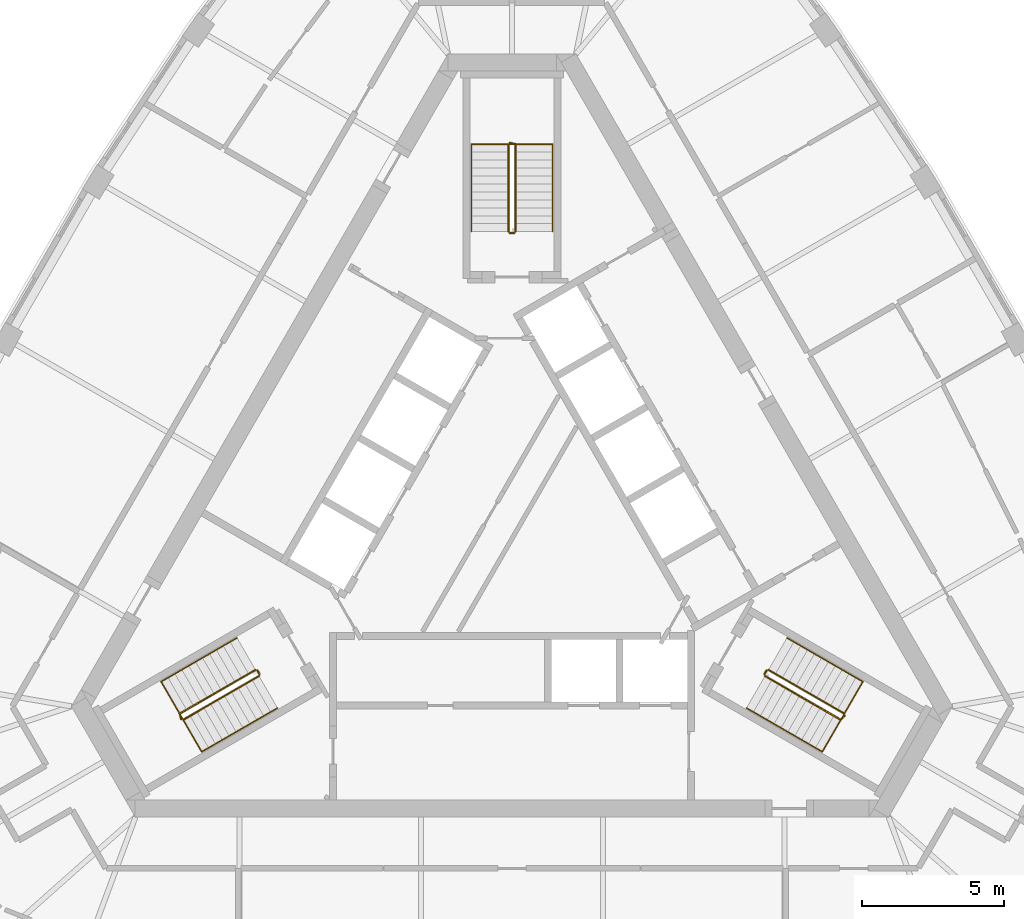
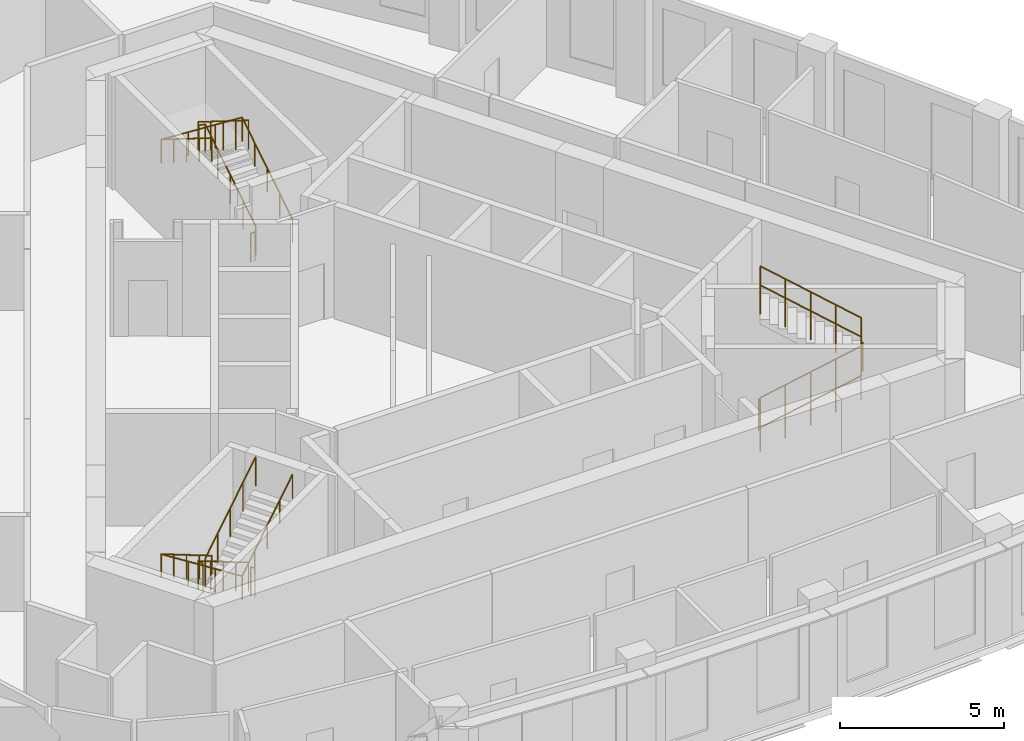
# One storey, part 10 of 10: 12 railings.
"""IFC4 building model written with IfcOpenShell, lengths in metres."""

from ifc_helpers import new_model, si_unit, direction, frame, origin, origin_2d, place, context, subcontext, project, spatial, circle, extrude, material, type_object, element, save


model = new_model("IFC4")

# Units and contexts
model_context = context("Model", 3, precision=1e-05, world=origin(), true_north=direction((0.0, 1.0)))
body_context = subcontext(model_context, "Body", "Model", "MODEL_VIEW")
ifc_project = project(units=[si_unit("LENGTHUNIT", "METRE"), si_unit("AREAUNIT", "SQUARE_METRE"), si_unit("VOLUMEUNIT", "CUBIC_METRE"), si_unit("PLANEANGLEUNIT", "RADIAN"), si_unit("MASSUNIT", "GRAM", prefix="KILO")], contexts=[model_context])

# Site, building, storey
site_placement = place(None, origin())
site = spatial("IfcSite", under=ifc_project, at=site_placement, CompositionType="ELEMENT")
building_placement = place(site_placement, origin())
building = spatial("IfcBuilding", under=site, at=building_placement, Name="Mestral Congress Tower", CompositionType="ELEMENT")
storey_placement = place(building_placement, frame((0.0, 0.0, 304.800048828125)))
storey = spatial("IfcBuildingStorey", under=building, at=storey_placement, Name="L71", CompositionType="ELEMENT", Elevation=304.800048828125)

# Railings
ifc_material_1 = material(Name="Steel balustrade", Category="steel")
railing_type_1 = type_object("IfcRailingType", Name="Stair guard 1100", PredefinedType="GUARDRAIL", material=ifc_material_1)
railing_1_placement = place(storey_placement, frame((8.90087890625, -5.283203125, 0.175048828125)))
element("IfcRailing", 1, at=railing_1_placement, inside=storey, type_object=railing_type_1, Name="L71 ST1 stair guard 1", PredefinedType="GUARDRAIL", context=body_context, shape_type="SweptSolid", body=[
    extrude(circle(Radius=0.02392578125, at=origin_2d()), frame((0.0, 0.0, 1.076171875), z_axis=(0.734390191396, -0.42403051051, 0.529970917068), x_axis=(0.500026652407, 0.866010015463, 0.0)), (0.0, 0.0, 1.0), 3.6318359375),
    extrude(circle(Radius=0.02392578125, at=origin_2d()), frame((2.667236328125, -1.5400390625, 3.0009765625), z_axis=(0.695164929852, 0.718850276695, 0.0), x_axis=(-0.718850276695, 0.695164929852, 0.0)), (0.0, 0.0, 1.0), 0.2060546875),
    extrude(circle(Radius=0.02099609375, at=origin_2d()), origin(), (0.0, 0.0, 1.0), 1.052001953125),
    extrude(circle(Radius=0.02099609375, at=origin_2d()), frame((0.666748046875, -0.385009765625, 0.481201171875)), (0.0, 0.0, 1.0), 1.052001953125),
    extrude(circle(Radius=0.02099609375, at=origin_2d()), frame((1.33349609375, -0.77001953125, 0.96240234375)), (0.0, 0.0, 1.0), 1.052001953125),
    extrude(circle(Radius=0.02099609375, at=origin_2d()), frame((2.00048828125, -1.155029296875, 1.443603515625)), (0.0, 0.0, 1.0), 1.052001953125),
    extrude(circle(Radius=0.02099609375, at=origin_2d()), frame((2.667236328125, -1.5400390625, 1.9248046875)), (0.0, 0.0, 1.0), 1.052001953125),
    extrude(circle(Radius=0.02099609375, at=origin_2d()), frame((2.810546875, -1.391845703125, 1.9248046875)), (0.0, 0.0, 1.0), 1.052001953125),
])
railing_2_placement = place(storey_placement, frame((11.693115234375, -6.606689453125, 2.27490234375)))
element("IfcRailing", 2, at=railing_2_placement, inside=storey, type_object=railing_type_1, Name="L71 ST1 stair guard 2", PredefinedType="GUARDRAIL", context=body_context, shape_type="SweptSolid", body=[
    extrude(circle(Radius=0.02392578125, at=origin_2d()), frame((0.0, 0.0, 1.076171875), z_axis=(-0.734364028329, 0.424015404183, 0.530019255228), x_axis=(-0.500026652407, -0.866010015463, 0.0)), (0.0, 0.0, 1.0), 3.632080078125),
    extrude(circle(Radius=0.02099609375, at=origin_2d()), origin(), (0.0, 0.0, 1.0), 1.052001953125),
    extrude(circle(Radius=0.02099609375, at=origin_2d()), frame((-0.666748046875, 0.385009765625, 0.481201171875)), (0.0, 0.0, 1.0), 1.052001953125),
    extrude(circle(Radius=0.02099609375, at=origin_2d()), frame((-1.33349609375, 0.77001953125, 0.96240234375)), (0.0, 0.0, 1.0), 1.052001953125),
    extrude(circle(Radius=0.02099609375, at=origin_2d()), frame((-2.00048828125, 1.155029296875, 1.44384765625)), (0.0, 0.0, 1.0), 1.052001953125),
    extrude(circle(Radius=0.02099609375, at=origin_2d()), frame((-2.667236328125, 1.5400390625, 1.925048828125)), (0.0, 0.0, 1.0), 1.052001953125),
])
railing_3_placement = place(storey_placement, frame((8.882568359375, -5.21484375, 0.0)))
element("IfcRailing", 3, at=railing_3_placement, inside=storey, type_object=railing_type_1, Name="L71 ST1 stair guard 3", PredefinedType="GUARDRAIL", context=body_context, shape_type="SweptSolid", body=[
    extrude(circle(Radius=0.02392578125, at=origin_2d()), frame((0.0, 0.0, 1.076171875), z_axis=(0.499816412211, 0.866131372301, 0.0), x_axis=(-0.866131372301, 0.499816412211, 0.0)), (0.0, 0.0, 1.0), 0.14990234375),
    extrude(circle(Radius=0.02099609375, at=origin_2d()), origin(), (0.0, 0.0, 1.0), 1.052001953125),
    extrude(circle(Radius=0.02099609375, at=origin_2d()), frame((0.074951171875, 0.1298828125, 0.0)), (0.0, 0.0, 1.0), 1.052001953125),
])
railing_4_placement = place(storey_placement, frame((0.125, 10.35009765625, 0.175048828125)))
element("IfcRailing", 4, at=railing_4_placement, inside=storey, type_object=railing_type_1, Name="L71 ST2 stair guard 1", PredefinedType="GUARDRAIL", context=body_context, shape_type="SweptSolid", body=[
    extrude(circle(Radius=0.02392578125, at=origin_2d()), frame((0.0, 0.0, 1.076171875), z_axis=(0.0, 0.848009633417, 0.529980812513), x_axis=(-1.0, 0.0, 0.0)), (0.0, 0.0, 1.0), 3.6318359375),
    extrude(circle(Radius=0.02392578125, at=origin_2d()), frame((0.0, 3.079833984375, 3.0009765625), z_axis=(-0.970072785993, 0.242814311512, 0.0), x_axis=(-0.242814311512, -0.970072785993, 0.0)), (0.0, 0.0, 1.0), 0.2060546875),
    extrude(circle(Radius=0.02099609375, at=origin_2d()), origin(), (0.0, 0.0, 1.0), 1.052001953125),
    extrude(circle(Radius=0.02099609375, at=origin_2d()), frame((0.0, 0.77001953125, 0.481201171875)), (0.0, 0.0, 1.0), 1.052001953125),
    extrude(circle(Radius=0.02099609375, at=origin_2d()), frame((0.0, 1.5400390625, 0.96240234375)), (0.0, 0.0, 1.0), 1.052001953125),
    extrude(circle(Radius=0.02099609375, at=origin_2d()), frame((0.0, 2.309814453125, 1.443603515625)), (0.0, 0.0, 1.0), 1.052001953125),
    extrude(circle(Radius=0.02099609375, at=origin_2d()), frame((0.0, 3.079833984375, 1.9248046875)), (0.0, 0.0, 1.0), 1.052001953125),
    extrude(circle(Radius=0.02099609375, at=origin_2d()), frame((-0.199951171875, 3.1298828125, 1.9248046875)), (0.0, 0.0, 1.0), 1.052001953125),
])
railing_5_placement = place(storey_placement, frame((-0.125, 13.429931640625, 2.27490234375)))
element("IfcRailing", 5, at=railing_5_placement, inside=storey, type_object=railing_type_1, Name="L71 ST2 stair guard 2", PredefinedType="GUARDRAIL", context=body_context, shape_type="SweptSolid", body=[
    extrude(circle(Radius=0.02392578125, at=origin_2d()), frame((0.0, 0.0, 1.076171875), z_axis=(0.0, -0.847979421464, 0.530029150871), x_axis=(1.0, 0.0, 0.0)), (0.0, 0.0, 1.0), 3.632080078125),
    extrude(circle(Radius=0.02099609375, at=origin_2d()), origin(), (0.0, 0.0, 1.0), 1.052001953125),
    extrude(circle(Radius=0.02099609375, at=origin_2d()), frame((0.0, -0.77001953125, 0.481201171875)), (0.0, 0.0, 1.0), 1.052001953125),
    extrude(circle(Radius=0.02099609375, at=origin_2d()), frame((0.0, -1.5400390625, 0.96240234375)), (0.0, 0.0, 1.0), 1.052001953125),
    extrude(circle(Radius=0.02099609375, at=origin_2d()), frame((0.0, -2.309814453125, 1.44384765625)), (0.0, 0.0, 1.0), 1.052001953125),
    extrude(circle(Radius=0.02099609375, at=origin_2d()), frame((0.0, -3.079833984375, 1.925048828125)), (0.0, 0.0, 1.0), 1.052001953125),
])
railing_6_placement = place(storey_placement, frame((0.074951171875, 10.300048828125, 0.0)))
element("IfcRailing", 6, at=railing_6_placement, inside=storey, type_object=railing_type_1, Name="L71 ST2 stair guard 3", PredefinedType="GUARDRAIL", context=body_context, shape_type="SweptSolid", body=[
    extrude(circle(Radius=0.02392578125, at=origin_2d()), frame((0.0, 0.0, 1.076171875), z_axis=(-1.0, 0.0, 0.0), x_axis=(0.0, -1.0, 0.0)), (0.0, 0.0, 1.0), 0.14990234375),
    extrude(circle(Radius=0.02099609375, at=origin_2d()), origin(), (0.0, 0.0, 1.0), 1.052001953125),
    extrude(circle(Radius=0.02099609375, at=origin_2d()), frame((-0.14990234375, 0.0, 0.0)), (0.0, 0.0, 1.0), 1.052001953125),
])
railing_7_placement = place(storey_placement, frame((-9.02587890625, -5.066650390625, 0.175048828125)))
element("IfcRailing", 7, at=railing_7_placement, inside=storey, type_object=railing_type_1, Name="L71 ST3 stair guard 1", PredefinedType="GUARDRAIL", context=body_context, shape_type="SweptSolid", body=[
    extrude(circle(Radius=0.02392578125, at=origin_2d()), frame((0.0, 0.0, 1.076171875), z_axis=(-0.734390191396, -0.42403051051, 0.529970917068), x_axis=(0.500026652407, -0.866010015463, 0.0)), (0.0, 0.0, 1.0), 3.6318359375),
    extrude(circle(Radius=0.02392578125, at=origin_2d()), frame((-2.667236328125, -1.5400390625, 3.0009765625), z_axis=(0.274721127897, -0.961523947641, 0.0), x_axis=(0.961523947641, 0.274721127897, 0.0)), (0.0, 0.0, 1.0), 0.2060546875),
    extrude(circle(Radius=0.02099609375, at=origin_2d()), origin(), (0.0, 0.0, 1.0), 1.052001953125),
    extrude(circle(Radius=0.02099609375, at=origin_2d()), frame((-0.666748046875, -0.385009765625, 0.481201171875)), (0.0, 0.0, 1.0), 1.052001953125),
    extrude(circle(Radius=0.02099609375, at=origin_2d()), frame((-1.33349609375, -0.77001953125, 0.96240234375)), (0.0, 0.0, 1.0), 1.052001953125),
    extrude(circle(Radius=0.02099609375, at=origin_2d()), frame((-2.00048828125, -1.155029296875, 1.443603515625)), (0.0, 0.0, 1.0), 1.052001953125),
    extrude(circle(Radius=0.02099609375, at=origin_2d()), frame((-2.667236328125, -1.5400390625, 1.9248046875)), (0.0, 0.0, 1.0), 1.052001953125),
    extrude(circle(Radius=0.02099609375, at=origin_2d()), frame((-2.610595703125, -1.73828125, 1.9248046875)), (0.0, 0.0, 1.0), 1.052001953125),
])
railing_8_placement = place(storey_placement, frame((-11.568115234375, -6.8232421875, 2.27490234375)))
element("IfcRailing", 8, at=railing_8_placement, inside=storey, type_object=railing_type_1, Name="L71 ST3 stair guard 2", PredefinedType="GUARDRAIL", context=body_context, shape_type="SweptSolid", body=[
    extrude(circle(Radius=0.02392578125, at=origin_2d()), frame((0.0, 0.0, 1.076171875), z_axis=(0.734364028329, 0.424015404183, 0.530019255228), x_axis=(-0.500026652407, 0.866010015463, 0.0)), (0.0, 0.0, 1.0), 3.632080078125),
    extrude(circle(Radius=0.02099609375, at=origin_2d()), origin(), (0.0, 0.0, 1.0), 1.052001953125),
    extrude(circle(Radius=0.02099609375, at=origin_2d()), frame((0.666748046875, 0.385009765625, 0.481201171875)), (0.0, 0.0, 1.0), 1.052001953125),
    extrude(circle(Radius=0.02099609375, at=origin_2d()), frame((1.33349609375, 0.77001953125, 0.96240234375)), (0.0, 0.0, 1.0), 1.052001953125),
    extrude(circle(Radius=0.02099609375, at=origin_2d()), frame((2.00048828125, 1.155029296875, 1.44384765625)), (0.0, 0.0, 1.0), 1.052001953125),
    extrude(circle(Radius=0.02099609375, at=origin_2d()), frame((2.667236328125, 1.5400390625, 1.925048828125)), (0.0, 0.0, 1.0), 1.052001953125),
])
railing_9_placement = place(storey_placement, frame((-8.95751953125, -5.0849609375, 0.0)))
element("IfcRailing", 9, at=railing_9_placement, inside=storey, type_object=railing_type_1, Name="L71 ST3 stair guard 3", PredefinedType="GUARDRAIL", context=body_context, shape_type="SweptSolid", body=[
    extrude(circle(Radius=0.02392578125, at=origin_2d()), frame((0.0, 0.0, 1.076171875), z_axis=(0.499816412211, -0.866131372301, 0.0), x_axis=(0.866131372301, 0.499816412211, 0.0)), (0.0, 0.0, 1.0), 0.14990234375),
    extrude(circle(Radius=0.02099609375, at=origin_2d()), origin(), (0.0, 0.0, 1.0), 1.052001953125),
    extrude(circle(Radius=0.02099609375, at=origin_2d()), frame((0.074951171875, -0.1298828125, 0.0)), (0.0, 0.0, 1.0), 1.052001953125),
])
ifc_material_2 = material(Name="Steel handrail", Category="steel")
railing_type_2 = type_object("IfcRailingType", Name="Stair handrail 900", PredefinedType="HANDRAIL", material=ifc_material_2)
railing_10_placement = place(storey_placement, frame((8.2509765625, -6.4091796875, 0.175048828125)))
element("IfcRailing", 10, at=railing_10_placement, inside=storey, type_object=railing_type_2, Name="L71 ST1 stair handrail 1", PredefinedType="HANDRAIL", context=body_context, shape_type="SweptSolid", body=[
    extrude(circle(Radius=0.02392578125, at=origin_2d()), frame((0.0, 0.0, 0.8759765625), z_axis=(0.734411123532, -0.423975373557, 0.529986022693), x_axis=(0.499967199496, 0.866044340336, 0.0)), (0.0, 0.0, 1.0), 3.6318359375),
    extrude(circle(Radius=0.02392578125, at=origin_2d()), frame((2.667236328125, -1.539794921875, 2.80078125), z_axis=(0.499095769026, 0.864375386171, 0.061307463833), x_axis=(-0.866004402611, 0.500036373335, 0.0)), (0.0, 0.0, 1.0), 2.855224609375),
    extrude(circle(Radius=0.02392578125, at=origin_2d()), frame((4.09228515625, 0.92822265625, 2.9755859375), z_axis=(-0.734394994316, 0.423994474112, 0.52999309264), x_axis=(-0.499992328818, -0.866029832698, 0.0)), (0.0, 0.0, 1.0), 3.63232421875),
    extrude(circle(Radius=0.02099609375, at=origin_2d()), origin(), (0.0, 0.0, 1.0), 0.851806640625),
    extrude(circle(Radius=0.02099609375, at=origin_2d()), frame((0.666748046875, -0.385009765625, 0.481201171875)), (0.0, 0.0, 1.0), 0.851806640625),
    extrude(circle(Radius=0.02099609375, at=origin_2d()), frame((1.33349609375, -0.77001953125, 0.96240234375)), (0.0, 0.0, 1.0), 0.851806640625),
    extrude(circle(Radius=0.02099609375, at=origin_2d()), frame((2.00048828125, -1.15478515625, 1.443603515625)), (0.0, 0.0, 1.0), 0.851806640625),
    extrude(circle(Radius=0.02099609375, at=origin_2d()), frame((2.667236328125, -1.539794921875, 1.9248046875)), (0.0, 0.0, 1.0), 0.851806640625),
    extrude(circle(Radius=0.02099609375, at=origin_2d()), frame((3.142333984375, -0.717041015625, 1.983154296875)), (0.0, 0.0, 1.0), 0.851806640625),
    extrude(circle(Radius=0.02099609375, at=origin_2d()), frame((3.6171875, 0.10546875, 2.04150390625)), (0.0, 0.0, 1.0), 0.851806640625),
    extrude(circle(Radius=0.02099609375, at=origin_2d()), frame((4.09228515625, 0.92822265625, 2.099853515625)), (0.0, 0.0, 1.0), 0.851806640625),
    extrude(circle(Radius=0.02099609375, at=origin_2d()), frame((3.42529296875, 1.313232421875, 2.5810546875)), (0.0, 0.0, 1.0), 0.851806640625),
    extrude(circle(Radius=0.02099609375, at=origin_2d()), frame((2.758544921875, 1.6982421875, 3.0625)), (0.0, 0.0, 1.0), 0.851806640625),
    extrude(circle(Radius=0.02099609375, at=origin_2d()), frame((2.091796875, 2.083251953125, 3.543701171875)), (0.0, 0.0, 1.0), 0.851806640625),
    extrude(circle(Radius=0.02099609375, at=origin_2d()), frame((1.4248046875, 2.46826171875, 4.02490234375)), (0.0, 0.0, 1.0), 0.851806640625),
])
railing_11_placement = place(storey_placement, frame((1.425048828125, 10.35009765625, 0.175048828125)))
element("IfcRailing", 11, at=railing_11_placement, inside=storey, type_object=railing_type_2, Name="L71 ST2 stair handrail 1", PredefinedType="HANDRAIL", context=body_context, shape_type="SweptSolid", body=[
    extrude(circle(Radius=0.02392578125, at=origin_2d()), frame((0.0, 0.0, 0.8759765625), z_axis=(0.0, 0.848009633417, 0.529980812513), x_axis=(-1.0, 0.0, 0.0)), (0.0, 0.0, 1.0), 3.6318359375),
    extrude(circle(Radius=0.02392578125, at=origin_2d()), frame((0.0, 3.079833984375, 2.80078125), z_axis=(-0.998119201106, 0.0, 0.061303021003), x_axis=(0.0, -1.0, 0.0)), (0.0, 0.0, 1.0), 2.85546875),
    extrude(circle(Radius=0.02392578125, at=origin_2d()), frame((-2.85009765625, 3.079833984375, 2.9755859375), z_axis=(0.0, -0.847979421464, 0.530029150871), x_axis=(1.0, 0.0, 0.0)), (0.0, 0.0, 1.0), 3.632080078125),
    extrude(circle(Radius=0.02099609375, at=origin_2d()), origin(), (0.0, 0.0, 1.0), 0.851806640625),
    extrude(circle(Radius=0.02099609375, at=origin_2d()), frame((0.0, 0.77001953125, 0.481201171875)), (0.0, 0.0, 1.0), 0.851806640625),
    extrude(circle(Radius=0.02099609375, at=origin_2d()), frame((0.0, 1.5400390625, 0.96240234375)), (0.0, 0.0, 1.0), 0.851806640625),
    extrude(circle(Radius=0.02099609375, at=origin_2d()), frame((0.0, 2.309814453125, 1.443603515625)), (0.0, 0.0, 1.0), 0.851806640625),
    extrude(circle(Radius=0.02099609375, at=origin_2d()), frame((0.0, 3.079833984375, 1.9248046875)), (0.0, 0.0, 1.0), 0.851806640625),
    extrude(circle(Radius=0.02099609375, at=origin_2d()), frame((-0.949951171875, 3.079833984375, 1.983154296875)), (0.0, 0.0, 1.0), 0.851806640625),
    extrude(circle(Radius=0.02099609375, at=origin_2d()), frame((-1.900146484375, 3.079833984375, 2.04150390625)), (0.0, 0.0, 1.0), 0.851806640625),
    extrude(circle(Radius=0.02099609375, at=origin_2d()), frame((-2.85009765625, 3.079833984375, 2.099853515625)), (0.0, 0.0, 1.0), 0.851806640625),
    extrude(circle(Radius=0.02099609375, at=origin_2d()), frame((-2.85009765625, 2.309814453125, 2.5810546875)), (0.0, 0.0, 1.0), 0.851806640625),
    extrude(circle(Radius=0.02099609375, at=origin_2d()), frame((-2.85009765625, 1.5400390625, 3.0625)), (0.0, 0.0, 1.0), 0.851806640625),
    extrude(circle(Radius=0.02099609375, at=origin_2d()), frame((-2.85009765625, 0.77001953125, 3.543701171875)), (0.0, 0.0, 1.0), 0.851806640625),
    extrude(circle(Radius=0.02099609375, at=origin_2d()), frame((-2.85009765625, 0.0, 4.02490234375)), (0.0, 0.0, 1.0), 0.851806640625),
])
railing_12_placement = place(storey_placement, frame((-9.67578125, -3.94091796875, 0.175048828125)))
element("IfcRailing", 12, at=railing_12_placement, inside=storey, type_object=railing_type_2, Name="L71 ST3 stair handrail 1", PredefinedType="HANDRAIL", context=body_context, shape_type="SweptSolid", body=[
    extrude(circle(Radius=0.02392578125, at=origin_2d()), frame((0.0, 0.0, 0.8759765625), z_axis=(-0.734421155904, -0.424009578203, 0.529944755001), x_axis=(0.499992328818, -0.866029832698, 0.0)), (0.0, 0.0, 1.0), 3.632080078125),
    extrude(circle(Radius=0.02392578125, at=origin_2d()), frame((-2.66748046875, -1.5400390625, 2.80078125), z_axis=(0.499095769026, -0.864375386171, 0.061307463833), x_axis=(0.866004402611, 0.500036373335, 0.0)), (0.0, 0.0, 1.0), 2.855224609375),
    extrude(circle(Radius=0.02392578125, at=origin_2d()), frame((-1.242431640625, -4.008056640625, 2.9755859375), z_axis=(0.734384958227, 0.423960268333, 0.530034361155), x_axis=(-0.499967199496, 0.866044340336, 0.0)), (0.0, 0.0, 1.0), 3.6318359375),
    extrude(circle(Radius=0.02099609375, at=origin_2d()), origin(), (0.0, 0.0, 1.0), 0.851806640625),
    extrude(circle(Radius=0.02099609375, at=origin_2d()), frame((-0.6669921875, -0.385009765625, 0.481201171875)), (0.0, 0.0, 1.0), 0.851806640625),
    extrude(circle(Radius=0.02099609375, at=origin_2d()), frame((-1.333740234375, -0.77001953125, 0.96240234375)), (0.0, 0.0, 1.0), 0.851806640625),
    extrude(circle(Radius=0.02099609375, at=origin_2d()), frame((-2.00048828125, -1.155029296875, 1.443603515625)), (0.0, 0.0, 1.0), 0.851806640625),
    extrude(circle(Radius=0.02099609375, at=origin_2d()), frame((-2.66748046875, -1.5400390625, 1.9248046875)), (0.0, 0.0, 1.0), 0.851806640625),
    extrude(circle(Radius=0.02099609375, at=origin_2d()), frame((-2.1923828125, -2.36279296875, 1.983154296875)), (0.0, 0.0, 1.0), 0.851806640625),
    extrude(circle(Radius=0.02099609375, at=origin_2d()), frame((-1.717529296875, -3.185302734375, 2.04150390625)), (0.0, 0.0, 1.0), 0.851806640625),
    extrude(circle(Radius=0.02099609375, at=origin_2d()), frame((-1.242431640625, -4.008056640625, 2.099853515625)), (0.0, 0.0, 1.0), 0.851806640625),
    extrude(circle(Radius=0.02099609375, at=origin_2d()), frame((-0.57568359375, -3.623046875, 2.5810546875)), (0.0, 0.0, 1.0), 0.851806640625),
    extrude(circle(Radius=0.02099609375, at=origin_2d()), frame((0.09130859375, -3.23828125, 3.0625)), (0.0, 0.0, 1.0), 0.851806640625),
    extrude(circle(Radius=0.02099609375, at=origin_2d()), frame((0.758056640625, -2.853271484375, 3.543701171875)), (0.0, 0.0, 1.0), 0.851806640625),
    extrude(circle(Radius=0.02099609375, at=origin_2d()), frame((1.4248046875, -2.46826171875, 4.02490234375)), (0.0, 0.0, 1.0), 0.851806640625),
])

save(model, "model.ifc")
